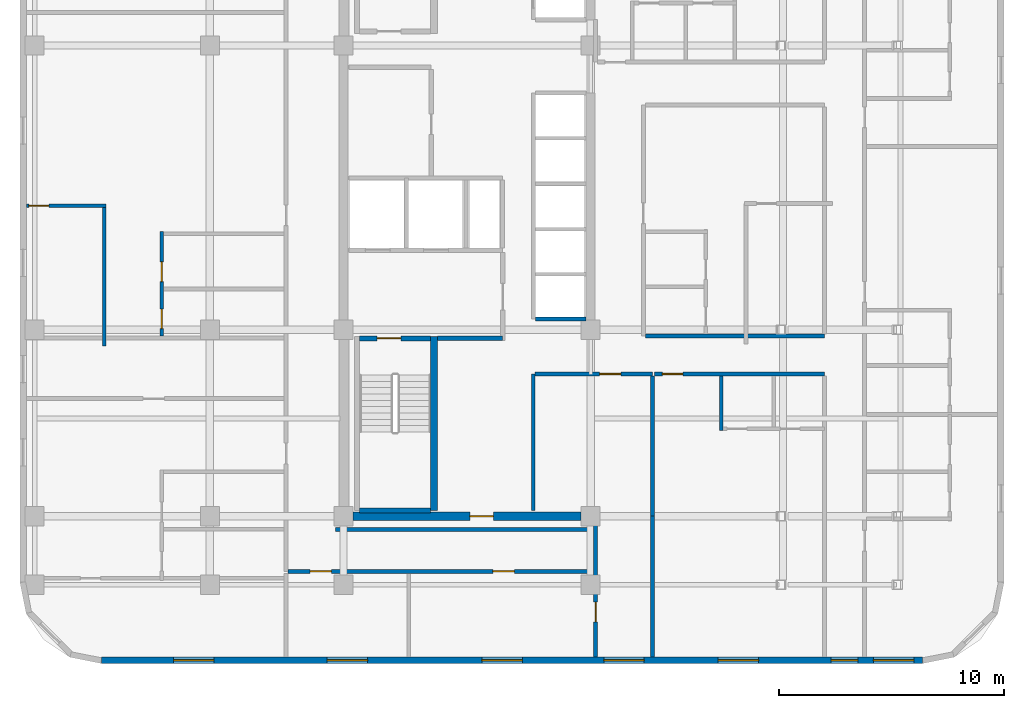
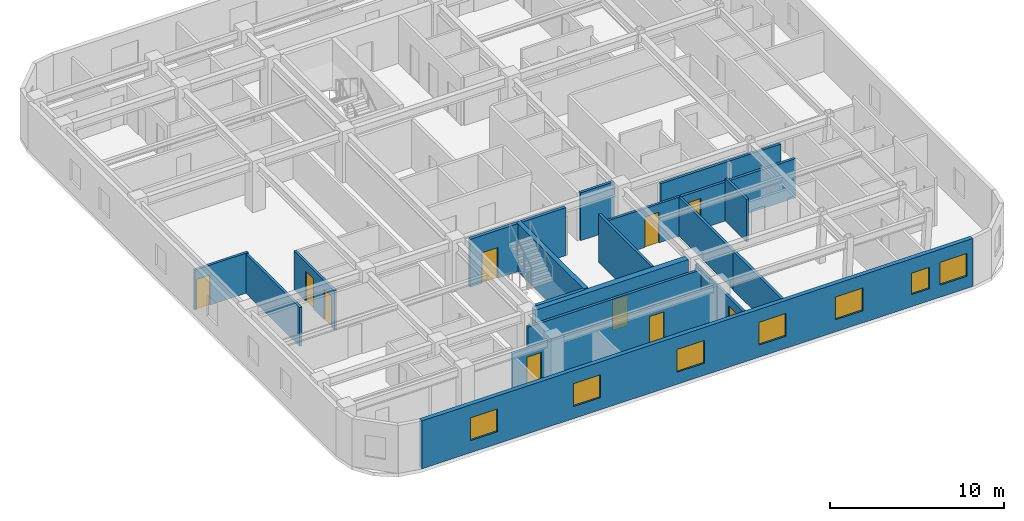
# One storey, part 3 of 9: 20 walls, 10 doors, 7 windows, 17 openings.
"""IFC4 building model written with IfcOpenShell, lengths in metres."""

from ifc_helpers import new_model, si_unit, direction, frame, frame_2d, origin, place, context, subcontext, project, spatial, rectangle, extrude, material, layer, layer_set, type_object, element, fill, save


model = new_model("IFC4")

# Units and contexts
model_context = context("Model", 3, precision=1e-05, world=origin(), true_north=direction((0.0, 1.0)))
body_context = subcontext(model_context, "Body", "Model", "MODEL_VIEW")
ifc_project = project(units=[si_unit("LENGTHUNIT", "METRE"), si_unit("AREAUNIT", "SQUARE_METRE"), si_unit("VOLUMEUNIT", "CUBIC_METRE"), si_unit("PLANEANGLEUNIT", "RADIAN"), si_unit("MASSUNIT", "GRAM", prefix="KILO")], contexts=[model_context])

# Site, building, storey
site_placement = place(None, origin())
site = spatial("IfcSite", under=ifc_project, at=site_placement, CompositionType="ELEMENT")
building_placement = place(site_placement, origin())
building = spatial("IfcBuilding", under=site, at=building_placement, Name="Ochreholt Gables", CompositionType="ELEMENT")
storey_placement = place(building_placement, frame((0.0, 0.0, 106.199951171875)))
storey = spatial("IfcBuildingStorey", under=building, at=storey_placement, Name="L27", CompositionType="ELEMENT", Elevation=106.199951171875)

# Wall, opening, door
ifc_material_1 = material(Name="Concrete 60 MPa", Category="concrete")
ifc_layer_1 = layer(ifc_material_1, 0.39990234375, Name="Concrete 60 MPa")
ifc_layer_set_1 = layer_set([ifc_layer_1], Name="Concrete 60 MPa")
wall_type_1 = type_object("IfcWallType", Name="WALL-CSW-400", PredefinedType="SHEAR", material=ifc_layer_set_1)
wall_1_placement = place(storey_placement, frame((24.625, 9.25, 0.0), z_axis=(0.0, 0.0, 1.0), x_axis=(1.0, 0.0, 0.0)))
wall_1 = element("IfcWall", 1, at=wall_1_placement, inside=storey, type_object=wall_type_1, Name="L27 Core South Shear Wall", PredefinedType="SHEAR", context=body_context, shape_type="SweptSolid", body=[
    extrude(rectangle(XDim=10.14990234375, YDim=0.39990234375, at=frame_2d((5.074951171875, 0.0))), origin(), (0.0, 0.0, 1.0), 3.360107421875),
])
opening_1_placement = place(wall_1_placement, frame((5.199951171875, 0.0, 0.0)))
opening_1 = element("IfcOpeningElement", 2, at=opening_1_placement, cuts=wall_1, Name="Opening D-FLB", PredefinedType="OPENING", context=body_context, shape_type="SweptSolid", body=[
    extrude(rectangle(XDim=1.050048828125, YDim=2.14990234375, at=frame_2d((0.52490234375, 1.074951171875))), frame((0.0, 0.2099609375, 0.0), z_axis=(0.0, -1.0, 0.0), x_axis=(1.0, 0.0, 0.0)), (0.0, 0.0, 1.0), 0.419921875),
])
ifc_material_2 = material(Name="Hollow Metal Steel", Category="steel")
door_type_1 = type_object("IfcDoorType", Name="DR-INT-FLB1050", OperationType="NOTDEFINED", PredefinedType="DOOR", material=ifc_material_2)
door_1_placement = place(opening_1_placement, origin())
door_1 = element("IfcDoor", 3, at=door_1_placement, inside=storey, type_object=door_type_1, Name="L27 Door D-C2CRS-L27", OperationType="SINGLE_SWING_LEFT", OverallHeight=2.14990234375, OverallWidth=1.050048828125, PredefinedType="DOOR", context=body_context, shape_type="SweptSolid", body=[
    extrude(rectangle(XDim=1.050048828125, YDim=2.14990234375, at=frame_2d((0.52490234375, 1.074951171875))), frame((0.0, 0.02490234375, 0.0), z_axis=(0.0, -1.0, 0.0), x_axis=(1.0, 0.0, 0.0)), (0.0, 0.0, 1.0), 0.050048828125),
])
fill(opening_1, door_1)

# Wall, openings, windows
ifc_material_3 = material(Name="Precast concrete 40 MPa", Category="concrete")
ifc_layer_2 = layer(ifc_material_3, 0.280029296875, Name="Precast concrete 40 MPa")
ifc_layer_set_2 = layer_set([ifc_layer_2], Name="Precast concrete 40 MPa")
wall_type_2 = type_object("IfcWallType", Name="WALL-EXT-280", PredefinedType="SOLIDWALL", material=ifc_layer_set_2)
wall_2_placement = place(storey_placement, frame((13.419921875, 2.840087890625, 0.0), z_axis=(0.0, 0.0, 1.0), x_axis=(1.0, 0.0, 0.0)))
wall_2 = element("IfcWall", 4, at=wall_2_placement, inside=storey, type_object=wall_type_2, Name="L27 South Exterior Wall", PredefinedType="SOLIDWALL", context=body_context, shape_type="SweptSolid", body=[
    extrude(rectangle(XDim=36.56005859375, YDim=0.280029296875, at=frame_2d((18.280029296875, 0.0))), origin(), (0.0, 0.0, 1.0), 3.360107421875),
])
opening_2_placement = place(wall_2_placement, frame((3.215087890625, 0.0, 0.85009765625)))
opening_2 = element("IfcOpeningElement", 5, at=opening_2_placement, cuts=wall_2, Name="Opening WN-1", PredefinedType="OPENING", context=body_context, shape_type="SweptSolid", body=[
    extrude(rectangle(XDim=1.800048828125, YDim=1.60009765625, at=frame_2d((0.89990234375, 0.800048828125))), frame((0.0, 0.14990234375, 0.0), z_axis=(0.0, -1.0, 0.0), x_axis=(1.0, 0.0, 0.0)), (0.0, 0.0, 1.0), 0.300048828125),
])
opening_3_placement = place(wall_2_placement, frame((10.054931640625, 0.0, 0.85009765625)))
opening_3 = element("IfcOpeningElement", 6, at=opening_3_placement, cuts=wall_2, Name="Opening WN-1", PredefinedType="OPENING", context=body_context, shape_type="SweptSolid", body=[
    extrude(rectangle(XDim=1.800048828125, YDim=1.60009765625, at=frame_2d((0.89990234375, 0.800048828125))), frame((0.0, 0.14990234375, 0.0), z_axis=(0.0, -1.0, 0.0), x_axis=(1.0, 0.0, 0.0)), (0.0, 0.0, 1.0), 0.300048828125),
])
opening_4_placement = place(wall_2_placement, frame((16.93994140625, 0.0, 0.85009765625)))
opening_4 = element("IfcOpeningElement", 7, at=opening_4_placement, cuts=wall_2, Name="Opening WN-1", PredefinedType="OPENING", context=body_context, shape_type="SweptSolid", body=[
    extrude(rectangle(XDim=1.800048828125, YDim=1.60009765625, at=frame_2d((0.89990234375, 0.800048828125))), frame((0.0, 0.14990234375, 0.0), z_axis=(0.0, -1.0, 0.0), x_axis=(1.0, 0.0, 0.0)), (0.0, 0.0, 1.0), 0.300048828125),
])
opening_5_placement = place(wall_2_placement, frame((22.364990234375, 0.0, 0.85009765625)))
opening_5 = element("IfcOpeningElement", 8, at=opening_5_placement, cuts=wall_2, Name="Opening WN-1", PredefinedType="OPENING", context=body_context, shape_type="SweptSolid", body=[
    extrude(rectangle(XDim=1.800048828125, YDim=1.60009765625, at=frame_2d((0.89990234375, 0.800048828125))), frame((0.0, 0.14990234375, 0.0), z_axis=(0.0, -1.0, 0.0), x_axis=(1.0, 0.0, 0.0)), (0.0, 0.0, 1.0), 0.300048828125),
])
opening_6_placement = place(wall_2_placement, frame((27.455078125, 0.0, 0.85009765625)))
opening_6 = element("IfcOpeningElement", 9, at=opening_6_placement, cuts=wall_2, Name="Opening WN-1", PredefinedType="OPENING", context=body_context, shape_type="SweptSolid", body=[
    extrude(rectangle(XDim=1.800048828125, YDim=1.60009765625, at=frame_2d((0.89990234375, 0.800048828125))), frame((0.0, 0.14990234375, 0.0), z_axis=(0.0, -1.0, 0.0), x_axis=(1.0, 0.0, 0.0)), (0.0, 0.0, 1.0), 0.300048828125),
])
opening_7_placement = place(wall_2_placement, frame((32.47998046875, 0.0, 0.85009765625)))
opening_7 = element("IfcOpeningElement", 10, at=opening_7_placement, cuts=wall_2, Name="Opening WN-3", PredefinedType="OPENING", context=body_context, shape_type="SweptSolid", body=[
    extrude(rectangle(XDim=1.199951171875, YDim=1.5, at=frame_2d((0.60009765625, 0.75))), frame((0.0, 0.14990234375, 0.0), z_axis=(0.0, -1.0, 0.0), x_axis=(1.0, 0.0, 0.0)), (0.0, 0.0, 1.0), 0.300048828125),
])
opening_8_placement = place(wall_2_placement, frame((34.3701171875, 0.0, 0.85009765625)))
opening_8 = element("IfcOpeningElement", 11, at=opening_8_placement, cuts=wall_2, Name="Opening WN-1", PredefinedType="OPENING", context=body_context, shape_type="SweptSolid", body=[
    extrude(rectangle(XDim=1.800048828125, YDim=1.60009765625, at=frame_2d((0.89990234375, 0.800048828125))), frame((0.0, 0.14990234375, 0.0), z_axis=(0.0, -1.0, 0.0), x_axis=(1.0, 0.0, 0.0)), (0.0, 0.0, 1.0), 0.300048828125),
])
ifc_material_4 = material(Name="Triple-Glazed Thermally Broken Aluminium Window", Category="aluminium")
window_type_1 = type_object("IfcWindowType", Name="WIN-RES-1200", PartitioningType="SINGLE_PANEL", PredefinedType="WINDOW", material=ifc_material_4)
window_1_placement = place(opening_7_placement, origin())
window_1 = element("IfcWindow", 12, at=window_1_placement, inside=storey, type_object=window_type_1, Name="L27 Window W-EXT-S-L27-6", OverallHeight=1.5, OverallWidth=1.199951171875, PartitioningType="SINGLE_PANEL", PredefinedType="WINDOW", context=body_context, shape_type="SweptSolid", body=[
    extrude(rectangle(XDim=1.199951171875, YDim=1.5, at=frame_2d((0.60009765625, 0.75))), frame((0.0, 0.030029296875, 0.0), z_axis=(0.0, -1.0, 0.0), x_axis=(1.0, 0.0, 0.0)), (0.0, 0.0, 1.0), 0.06005859375),
])
fill(opening_7, window_1)
window_type_2 = type_object("IfcWindowType", Name="WIN-RES-1800", PartitioningType="SINGLE_PANEL", PredefinedType="WINDOW", material=ifc_material_4)
window_2_placement = place(opening_2_placement, origin())
window_2 = element("IfcWindow", 13, at=window_2_placement, inside=storey, type_object=window_type_2, Name="L27 Window W-EXT-S-L27-1", OverallHeight=1.60009765625, OverallWidth=1.800048828125, PartitioningType="SINGLE_PANEL", PredefinedType="WINDOW", context=body_context, shape_type="SweptSolid", body=[
    extrude(rectangle(XDim=1.800048828125, YDim=1.60009765625, at=frame_2d((0.89990234375, 0.800048828125))), frame((0.0, 0.030029296875, 0.0), z_axis=(0.0, -1.0, 0.0), x_axis=(1.0, 0.0, 0.0)), (0.0, 0.0, 1.0), 0.06005859375),
])
fill(opening_2, window_2)
window_3_placement = place(opening_3_placement, origin())
window_3 = element("IfcWindow", 14, at=window_3_placement, inside=storey, type_object=window_type_2, Name="L27 Window W-EXT-S-L27-2", OverallHeight=1.60009765625, OverallWidth=1.800048828125, PartitioningType="SINGLE_PANEL", PredefinedType="WINDOW", context=body_context, shape_type="SweptSolid", body=[
    extrude(rectangle(XDim=1.800048828125, YDim=1.60009765625, at=frame_2d((0.89990234375, 0.800048828125))), frame((0.0, 0.030029296875, 0.0), z_axis=(0.0, -1.0, 0.0), x_axis=(1.0, 0.0, 0.0)), (0.0, 0.0, 1.0), 0.06005859375),
])
fill(opening_3, window_3)
window_4_placement = place(opening_4_placement, origin())
window_4 = element("IfcWindow", 15, at=window_4_placement, inside=storey, type_object=window_type_2, Name="L27 Window W-EXT-S-L27-3", OverallHeight=1.60009765625, OverallWidth=1.800048828125, PartitioningType="SINGLE_PANEL", PredefinedType="WINDOW", context=body_context, shape_type="SweptSolid", body=[
    extrude(rectangle(XDim=1.800048828125, YDim=1.60009765625, at=frame_2d((0.89990234375, 0.800048828125))), frame((0.0, 0.030029296875, 0.0), z_axis=(0.0, -1.0, 0.0), x_axis=(1.0, 0.0, 0.0)), (0.0, 0.0, 1.0), 0.06005859375),
])
fill(opening_4, window_4)
window_5_placement = place(opening_5_placement, origin())
window_5 = element("IfcWindow", 16, at=window_5_placement, inside=storey, type_object=window_type_2, Name="L27 Window W-EXT-S-L27-4", OverallHeight=1.60009765625, OverallWidth=1.800048828125, PartitioningType="SINGLE_PANEL", PredefinedType="WINDOW", context=body_context, shape_type="SweptSolid", body=[
    extrude(rectangle(XDim=1.800048828125, YDim=1.60009765625, at=frame_2d((0.89990234375, 0.800048828125))), frame((0.0, 0.030029296875, 0.0), z_axis=(0.0, -1.0, 0.0), x_axis=(1.0, 0.0, 0.0)), (0.0, 0.0, 1.0), 0.06005859375),
])
fill(opening_5, window_5)
window_6_placement = place(opening_6_placement, origin())
window_6 = element("IfcWindow", 17, at=window_6_placement, inside=storey, type_object=window_type_2, Name="L27 Window W-EXT-S-L27-5", OverallHeight=1.60009765625, OverallWidth=1.800048828125, PartitioningType="SINGLE_PANEL", PredefinedType="WINDOW", context=body_context, shape_type="SweptSolid", body=[
    extrude(rectangle(XDim=1.800048828125, YDim=1.60009765625, at=frame_2d((0.89990234375, 0.800048828125))), frame((0.0, 0.030029296875, 0.0), z_axis=(0.0, -1.0, 0.0), x_axis=(1.0, 0.0, 0.0)), (0.0, 0.0, 1.0), 0.06005859375),
])
fill(opening_6, window_6)
window_7_placement = place(opening_8_placement, origin())
window_7 = element("IfcWindow", 18, at=window_7_placement, inside=storey, type_object=window_type_2, Name="L27 Window W-EXT-S-L27-7", OverallHeight=1.60009765625, OverallWidth=1.800048828125, PartitioningType="SINGLE_PANEL", PredefinedType="WINDOW", context=body_context, shape_type="SweptSolid", body=[
    extrude(rectangle(XDim=1.800048828125, YDim=1.60009765625, at=frame_2d((0.89990234375, 0.800048828125))), frame((0.0, 0.030029296875, 0.0), z_axis=(0.0, -1.0, 0.0), x_axis=(1.0, 0.0, 0.0)), (0.0, 0.0, 1.0), 0.06005859375),
])
fill(opening_8, window_7)

# Wall
ifc_material_5 = material(Name="Concrete 40 MPa", Category="concrete")
ifc_layer_3 = layer(ifc_material_5, 0.199951171875, Name="Concrete 40 MPa")
ifc_layer_set_3 = layer_set([ifc_layer_3], Name="Concrete 40 MPa")
wall_type_3 = type_object("IfcWallType", Name="WALL-INT-CF200", PredefinedType="STANDARD", material=ifc_layer_set_3)
wall_3_placement = place(storey_placement, frame((28.3798828125, 17.169921875, 0.0), z_axis=(0.0, 0.0, 1.0), x_axis=(1.0, 0.0, 0.0)))
element("IfcWall", 19, at=wall_3_placement, inside=storey, type_object=wall_type_3, Name="L27 Interior Wall WI-FFS-L27", PredefinedType="STANDARD", context=body_context, shape_type="SweptSolid", body=[
    extrude(rectangle(XDim=2.900146484375, YDim=0.199951171875, at=frame_2d((1.4501953125, 0.0))), origin(), (0.0, 0.0, 1.0), 3.360107421875),
])

# Wall, opening, door
ifc_material_6 = material(Name="Fire-Rated Gypsum Acoustic Partition", Category="gypsum")
ifc_layer_4 = layer(ifc_material_6, 0.179931640625, Name="Fire-Rated Gypsum Acoustic Partition")
ifc_layer_set_4 = layer_set([ifc_layer_4], Name="Fire-Rated Gypsum Acoustic Partition")
wall_type_4 = type_object("IfcWallType", Name="WALL-INT-CR180", PredefinedType="STANDARD", material=ifc_layer_set_4)
wall_4_placement = place(storey_placement, frame((38.032470703125, 15.580078125, 0.0), z_axis=(0.0, 0.0, 1.0), x_axis=(1.0, 0.0, 0.0)))
wall_4 = element("IfcWall", 20, at=wall_4_placement, inside=storey, type_object=wall_type_4, Name="L27 Interior Wall WI-C2SS1-L27", PredefinedType="STANDARD", context=body_context, shape_type="SweptSolid", body=[
    extrude(rectangle(XDim=7.567626953125, YDim=0.179931640625, at=frame_2d((3.78369140625, 0.0))), origin(), (0.0, 0.0, 1.0), 2.73095703125),
])
opening_9_placement = place(wall_4_placement, frame((0.357421875, 0.0, 0.0)))
opening_9 = element("IfcOpeningElement", 21, at=opening_9_placement, cuts=wall_4, Name="Opening D-UN1", PredefinedType="OPENING", context=body_context, shape_type="SweptSolid", body=[
    extrude(rectangle(XDim=0.919921875, YDim=2.14990234375, at=frame_2d((0.4599609375, 1.074951171875))), frame((0.0, 0.099853515625, 0.0), z_axis=(0.0, -1.0, 0.0), x_axis=(1.0, 0.0, 0.0)), (0.0, 0.0, 1.0), 0.199951171875),
])
ifc_material_7 = material(Name="Engineered Oak Timber", Category="wood")
door_type_2 = type_object("IfcDoorType", Name="DR-INT-UNT920", OperationType="NOTDEFINED", PredefinedType="DOOR", material=ifc_material_7)
door_2_placement = place(opening_9_placement, origin())
door_2 = element("IfcDoor", 22, at=door_2_placement, inside=storey, type_object=door_type_2, Name="L27 Door D-U-L27S1-ENT", OperationType="SINGLE_SWING_RIGHT", OverallHeight=2.14990234375, OverallWidth=0.919921875, PredefinedType="DOOR", context=body_context, shape_type="SweptSolid", body=[
    extrude(rectangle(XDim=0.919921875, YDim=2.14990234375, at=frame_2d((0.4599609375, 1.074951171875))), frame((0.0, 0.02490234375, 0.0), z_axis=(0.0, -1.0, 0.0), x_axis=(1.0, 0.0, 0.0)), (0.0, 0.0, 1.0), 0.050048828125),
])
fill(opening_9, door_2)

# Wall
wall_5_placement = place(storey_placement, frame((37.639892578125, 17.280029296875, 0.0), z_axis=(0.0, 0.0, 1.0), x_axis=(1.0, 0.0, 0.0)))
element("IfcWall", 23, at=wall_5_placement, inside=storey, type_object=wall_type_4, Name="L27 Interior Wall WI-C2SS2-L27", PredefinedType="STANDARD", context=body_context, shape_type="SweptSolid", body=[
    extrude(rectangle(XDim=7.960205078125, YDim=0.179931640625, at=frame_2d((3.97998046875, 0.0))), origin(), (0.0, 0.0, 1.0), 2.73095703125),
])

# Wall, openings, doors
wall_6_placement = place(storey_placement, frame((21.739990234375, 6.800048828125, 0.0), z_axis=(0.0, 0.0, 1.0), x_axis=(1.0, 0.0, 0.0)))
wall_6 = element("IfcWall", 24, at=wall_6_placement, inside=storey, type_object=wall_type_4, Name="L27 Interior Wall WI-C2WCS-L27", PredefinedType="STANDARD", context=body_context, shape_type="SweptSolid", body=[
    extrude(rectangle(XDim=13.679931640625, YDim=0.179931640625, at=frame_2d((6.83984375, 0.0))), origin(), (0.0, 0.0, 1.0), 2.73095703125),
])
opening_10_placement = place(wall_6_placement, frame((0.969970703125, 0.0, 0.0)))
opening_10 = element("IfcOpeningElement", 25, at=opening_10_placement, cuts=wall_6, Name="Opening D-GN1", PredefinedType="OPENING", context=body_context, shape_type="SweptSolid", body=[
    extrude(rectangle(XDim=0.949951171875, YDim=2.14990234375, at=frame_2d((0.47509765625, 1.074951171875))), frame((0.0, 0.099853515625, 0.0), z_axis=(0.0, -1.0, 0.0), x_axis=(1.0, 0.0, 0.0)), (0.0, 0.0, 1.0), 0.199951171875),
])
opening_11_placement = place(wall_6_placement, frame((9.110107421875, 0.0, 0.0)))
opening_11 = element("IfcOpeningElement", 26, at=opening_11_placement, cuts=wall_6, Name="Opening D-GN1", PredefinedType="OPENING", context=body_context, shape_type="SweptSolid", body=[
    extrude(rectangle(XDim=0.949951171875, YDim=2.14990234375, at=frame_2d((0.47509765625, 1.074951171875))), frame((0.0, 0.099853515625, 0.0), z_axis=(0.0, -1.0, 0.0), x_axis=(1.0, 0.0, 0.0)), (0.0, 0.0, 1.0), 0.199951171875),
])
door_type_3 = type_object("IfcDoorType", Name="DR-INT-GEN950", OperationType="NOTDEFINED", PredefinedType="DOOR", material=ifc_material_7)
door_3_placement = place(opening_10_placement, origin())
door_3 = element("IfcDoor", 27, at=door_3_placement, inside=storey, type_object=door_type_3, Name="L27 Door D-C2STL1-L27", OperationType="SINGLE_SWING_LEFT", OverallHeight=2.14990234375, OverallWidth=0.949951171875, PredefinedType="DOOR", context=body_context, shape_type="SweptSolid", body=[
    extrude(rectangle(XDim=0.949951171875, YDim=2.14990234375, at=frame_2d((0.47509765625, 1.074951171875))), frame((0.0, 0.02490234375, 0.0), z_axis=(0.0, -1.0, 0.0), x_axis=(1.0, 0.0, 0.0)), (0.0, 0.0, 1.0), 0.050048828125),
])
fill(opening_10, door_3)
door_4_placement = place(opening_11_placement, origin())
door_4 = element("IfcDoor", 28, at=door_4_placement, inside=storey, type_object=door_type_3, Name="L27 Door D-C2STL2-L27", OperationType="SINGLE_SWING_RIGHT", OverallHeight=2.14990234375, OverallWidth=0.949951171875, PredefinedType="DOOR", context=body_context, shape_type="SweptSolid", body=[
    extrude(rectangle(XDim=0.949951171875, YDim=2.14990234375, at=frame_2d((0.47509765625, 1.074951171875))), frame((0.0, 0.02490234375, 0.0), z_axis=(0.0, -1.0, 0.0), x_axis=(1.0, 0.0, 0.0)), (0.0, 0.0, 1.0), 0.050048828125),
])
fill(opening_11, door_4)

# Wall
wall_7_placement = place(storey_placement, frame((23.85009765625, 8.64990234375, 0.0), z_axis=(0.0, 0.0, 1.0), x_axis=(1.0, 0.0, 0.0)))
element("IfcWall", 29, at=wall_7_placement, inside=storey, type_object=wall_type_4, Name="L27 Interior Wall WI-C2WCS2-L27", PredefinedType="STANDARD", context=body_context, shape_type="SweptSolid", body=[
    extrude(rectangle(XDim=11.56982421875, YDim=0.179931640625, at=frame_2d((5.784912109375, 0.0))), origin(), (0.0, 0.0, 1.0), 2.73095703125),
])

# Wall, opening, door
ifc_material_8 = material(Name="Double-Stud Acoustic Demising Wall", Category="gypsum")
ifc_layer_5 = layer(ifc_material_8, 0.179931640625, Name="Double-Stud Acoustic Demising Wall")
ifc_layer_set_5 = layer_set([ifc_layer_5], Name="Double-Stud Acoustic Demising Wall")
wall_type_5 = type_object("IfcWallType", Name="WALL-INT-DM180", PredefinedType="PARTITIONING", material=ifc_layer_set_5)
wall_8_placement = place(storey_placement, frame((35.419921875, 2.97998046875, 0.0), z_axis=(0.0, 0.0, 1.0), x_axis=(0.0, 1.0, 0.0)))
wall_8 = element("IfcWall", 30, at=wall_8_placement, inside=storey, type_object=wall_type_5, Name="L27 Interior Wall WI-C2SES-L27", PredefinedType="PARTITIONING", context=body_context, shape_type="SweptSolid", body=[
    extrude(rectangle(XDim=6.27001953125, YDim=0.179931640625, at=frame_2d((3.135009765625, 0.0))), origin(), (0.0, 0.0, 1.0), 2.73095703125),
])
opening_12_placement = place(wall_8_placement, frame((1.570068359375, 0.0, 0.0)))
opening_12 = element("IfcOpeningElement", 31, at=opening_12_placement, cuts=wall_8, Name="Opening D-GN2", PredefinedType="OPENING", context=body_context, shape_type="SweptSolid", body=[
    extrude(rectangle(XDim=0.8798828125, YDim=2.1201171875, at=frame_2d((0.43994140625, 1.06005859375))), frame((0.0, 0.099853515625, 0.0), z_axis=(0.0, -1.0, 0.0), x_axis=(1.0, 0.0, 0.0)), (0.0, 0.0, 1.0), 0.199951171875),
])
door_type_4 = type_object("IfcDoorType", Name="DR-INT-GEN880", OperationType="NOTDEFINED", PredefinedType="DOOR", material=ifc_material_7)
door_5_placement = place(opening_12_placement, origin())
door_5 = element("IfcDoor", 32, at=door_5_placement, inside=storey, type_object=door_type_4, Name="L27 Door D-C2SPS-L27", OperationType="SINGLE_SWING_LEFT", OverallHeight=2.1201171875, OverallWidth=0.8798828125, PredefinedType="DOOR", context=body_context, shape_type="SweptSolid", body=[
    extrude(rectangle(XDim=0.8798828125, YDim=2.1201171875, at=frame_2d((0.43994140625, 1.06005859375))), frame((0.0, 0.02490234375, 0.0), z_axis=(0.0, -1.0, 0.0), x_axis=(1.0, 0.0, 0.0)), (0.0, 0.0, 1.0), 0.050048828125),
])
fill(opening_12, door_5)

# Walls
wall_9_placement = place(storey_placement, frame((37.949951171875, 2.97998046875, 0.0), z_axis=(0.0, 0.0, 1.0), x_axis=(0.0, 1.0, 0.0)))
element("IfcWall", 33, at=wall_9_placement, inside=storey, type_object=wall_type_5, Name="L27 Interior Wall WI-C2SEW2-L27", PredefinedType="PARTITIONING", context=body_context, shape_type="SweptSolid", body=[
    extrude(rectangle(XDim=6.27001953125, YDim=0.179931640625, at=frame_2d((3.135009765625, 0.0))), origin(), (0.0, 0.0, 1.0), 2.73095703125),
])
ifc_material_9 = material(Name="Moisture-Resistant Plumbing Chase Wall", Category="gypsum")
ifc_layer_6 = layer(ifc_material_9, 0.159912109375, Name="Moisture-Resistant Plumbing Chase Wall")
ifc_layer_set_6 = layer_set([ifc_layer_6], Name="Moisture-Resistant Plumbing Chase Wall")
wall_type_6 = type_object("IfcWallType", Name="WALL-INT-PL160", PredefinedType="PLUMBINGWALL", material=ifc_layer_set_6)
wall_10_placement = place(storey_placement, frame((41.010009765625, 13.06005859375, 0.0), z_axis=(0.0, 0.0, 1.0), x_axis=(0.0, 1.0, 0.0)))
element("IfcWall", 34, at=wall_10_placement, inside=storey, type_object=wall_type_6, Name="L27 Interior Wall WU-L27S1-FY", PredefinedType="PLUMBINGWALL", context=body_context, shape_type="SweptSolid", body=[
    extrude(rectangle(XDim=2.429931640625, YDim=0.159912109375, at=frame_2d((1.21484375, 0.0))), origin(), (0.0, 0.0, 1.0), 2.988037109375),
])

# Wall, openings, doors
wall_11_placement = place(storey_placement, frame((16.110107421875, 17.27392578125, 0.0), z_axis=(0.0, 0.0, 1.0), x_axis=(0.0, 1.0, 0.0)))
wall_11 = element("IfcWall", 35, at=wall_11_placement, inside=storey, type_object=wall_type_6, Name="L27 Interior Wall WU-L27W2-WX", PredefinedType="PLUMBINGWALL", context=body_context, shape_type="SweptSolid", body=[
    extrude(rectangle(XDim=4.64013671875, YDim=0.159912109375, at=frame_2d((2.320068359375, 0.0))), origin(), (0.0, 0.0, 1.0), 2.73095703125),
])
opening_13_placement = place(wall_11_placement, frame((0.330078125, 0.0, 0.0)))
opening_13 = element("IfcOpeningElement", 36, at=opening_13_placement, cuts=wall_11, Name="Opening D-BT1", PredefinedType="OPENING", context=body_context, shape_type="SweptSolid", body=[
    extrude(rectangle(XDim=0.860107421875, YDim=2.1201171875, at=frame_2d((0.43017578125, 1.06005859375))), frame((0.0, 0.08984375, 0.0), z_axis=(0.0, -1.0, 0.0), x_axis=(1.0, 0.0, 0.0)), (0.0, 0.0, 1.0), 0.179931640625),
])
opening_14_placement = place(wall_11_placement, frame((2.423095703125, 0.0, 0.0)))
opening_14 = element("IfcOpeningElement", 37, at=opening_14_placement, cuts=wall_11, Name="Opening D-GN2", PredefinedType="OPENING", context=body_context, shape_type="SweptSolid", body=[
    extrude(rectangle(XDim=0.8798828125, YDim=2.1201171875, at=frame_2d((0.43994140625, 1.06005859375))), frame((0.0, 0.08984375, 0.0), z_axis=(0.0, -1.0, 0.0), x_axis=(1.0, 0.0, 0.0)), (0.0, 0.0, 1.0), 0.179931640625),
])
door_type_5 = type_object("IfcDoorType", Name="DR-INT-BTH860", OperationType="NOTDEFINED", PredefinedType="DOOR", material=ifc_material_7)
door_6_placement = place(opening_13_placement, origin())
door_6 = element("IfcDoor", 38, at=door_6_placement, inside=storey, type_object=door_type_5, Name="L27 Door D-U-L27W2-BTH", OperationType="SINGLE_SWING_LEFT", OverallHeight=2.1201171875, OverallWidth=0.860107421875, PredefinedType="DOOR", context=body_context, shape_type="SweptSolid", body=[
    extrude(rectangle(XDim=0.860107421875, YDim=2.1201171875, at=frame_2d((0.43017578125, 1.06005859375))), frame((0.0, 0.02490234375, 0.0), z_axis=(0.0, -1.0, 0.0), x_axis=(1.0, 0.0, 0.0)), (0.0, 0.0, 1.0), 0.050048828125),
])
fill(opening_13, door_6)
door_7_placement = place(opening_14_placement, origin())
door_7 = element("IfcDoor", 39, at=door_7_placement, inside=storey, type_object=door_type_4, Name="L27 Door D-U-L27W2-KIT", OperationType="SINGLE_SWING_RIGHT", OverallHeight=2.1201171875, OverallWidth=0.8798828125, PredefinedType="DOOR", context=body_context, shape_type="SweptSolid", body=[
    extrude(rectangle(XDim=0.8798828125, YDim=2.1201171875, at=frame_2d((0.43994140625, 1.06005859375))), frame((0.0, 0.02490234375, 0.0), z_axis=(0.0, -1.0, 0.0), x_axis=(1.0, 0.0, 0.0)), (0.0, 0.0, 1.0), 0.050048828125),
])
fill(opening_14, door_7)

# Wall
ifc_material_10 = material(Name="Gypsum Acoustic Stud Partition", Category="gypsum")
ifc_layer_7 = layer(ifc_material_10, 0.1650390625, Name="Gypsum Acoustic Stud Partition")
ifc_layer_set_7 = layer_set([ifc_layer_7], Name="Gypsum Acoustic Stud Partition")
wall_type_7 = type_object("IfcWallType", Name="WALL-INT-PT165", PredefinedType="PARTITIONING", material=ifc_layer_set_7)
wall_12_placement = place(storey_placement, frame((32.64990234375, 9.5, 0.0), z_axis=(0.0, 0.0, 1.0), x_axis=(0.0, 1.0, 0.0)))
element("IfcWall", 40, at=wall_12_placement, inside=storey, type_object=wall_type_7, Name="L27 Interior Wall WI-RCL-W-L27", PredefinedType="PARTITIONING", context=body_context, shape_type="SweptSolid", body=[
    extrude(rectangle(XDim=6.080078125, YDim=0.1650390625, at=frame_2d((3.0400390625, 0.0))), origin(), (0.0, 0.0, 1.0), 3.360107421875),
])

# Wall, opening, door
wall_13_placement = place(storey_placement, frame((32.732421875, 15.580078125, 0.0), z_axis=(0.0, 0.0, 1.0), x_axis=(1.0, 0.0, 0.0)))
wall_13 = element("IfcWall", 41, at=wall_13_placement, inside=storey, type_object=wall_type_7, Name="L27 Interior Wall WI-RCL-N-L27", PredefinedType="PARTITIONING", context=body_context, shape_type="SweptSolid", body=[
    extrude(rectangle(XDim=5.217529296875, YDim=0.1650390625, at=frame_2d((2.60888671875, 0.0))), origin(), (0.0, 0.0, 1.0), 2.73095703125),
])
opening_15_placement = place(wall_13_placement, frame((2.867431640625, 0.0, 0.0)))
opening_15 = element("IfcOpeningElement", 42, at=opening_15_placement, cuts=wall_13, Name="Opening D-GN1", PredefinedType="OPENING", context=body_context, shape_type="SweptSolid", body=[
    extrude(rectangle(XDim=0.949951171875, YDim=2.14990234375, at=frame_2d((0.47509765625, 1.074951171875))), frame((0.0, 0.092529296875, 0.0), z_axis=(0.0, -1.0, 0.0), x_axis=(1.0, 0.0, 0.0)), (0.0, 0.0, 1.0), 0.18505859375),
])
door_8_placement = place(opening_15_placement, origin())
door_8 = element("IfcDoor", 43, at=door_8_placement, inside=storey, type_object=door_type_3, Name="L27 Door D-RCL-L27", OperationType="SINGLE_SWING_LEFT", OverallHeight=2.14990234375, OverallWidth=0.949951171875, PredefinedType="DOOR", context=body_context, shape_type="SweptSolid", body=[
    extrude(rectangle(XDim=0.949951171875, YDim=2.14990234375, at=frame_2d((0.47509765625, 1.074951171875))), frame((0.0, 0.02490234375, 0.0), z_axis=(0.0, -1.0, 0.0), x_axis=(1.0, 0.0, 0.0)), (0.0, 0.0, 1.0), 0.050048828125),
])
fill(opening_15, door_8)

# Walls
wall_14_placement = place(storey_placement, frame((37.949951171875, 9.25, 0.0), z_axis=(0.0, 0.0, 1.0), x_axis=(0.0, 1.0, 0.0)))
element("IfcWall", 44, at=wall_14_placement, inside=storey, type_object=wall_type_7, Name="L27 Interior Wall WI-RCL-E-L27", PredefinedType="PARTITIONING", context=body_context, shape_type="SweptSolid", body=[
    extrude(rectangle(XDim=6.24755859375, YDim=0.1650390625, at=frame_2d((3.123779296875, 0.0))), origin(), (0.0, 0.0, 1.0), 2.73095703125),
])
wall_15_placement = place(storey_placement, frame((13.550048828125, 16.823974609375, 0.0), z_axis=(0.0, 0.0, 1.0), x_axis=(0.0, 1.0, 0.0)))
element("IfcWall", 45, at=wall_15_placement, inside=storey, type_object=wall_type_7, Name="L27 Interior Wall WU-L27W2-STW", PredefinedType="PARTITIONING", context=body_context, shape_type="SweptSolid", body=[
    extrude(rectangle(XDim=6.25, YDim=0.1650390625, at=frame_2d((3.125, 0.0))), origin(), (0.0, 0.0, 1.0), 2.73095703125),
])

# Wall, opening, door
wall_16_placement = place(storey_placement, frame((10.080078125, 23.073974609375, 0.0), z_axis=(0.0, 0.0, 1.0), x_axis=(1.0, 0.0, 0.0)))
wall_16 = element("IfcWall", 46, at=wall_16_placement, inside=storey, type_object=wall_type_7, Name="L27 Interior Wall WU-L27W2-STN", PredefinedType="PARTITIONING", context=body_context, shape_type="SweptSolid", body=[
    extrude(rectangle(XDim=3.5498046875, YDim=0.1650390625, at=frame_2d((1.77490234375, 0.0))), origin(), (0.0, 0.0, 1.0), 2.80908203125),
])
opening_16_placement = place(wall_16_placement, frame((0.1201171875, 0.0, 0.0)))
opening_16 = element("IfcOpeningElement", 47, at=opening_16_placement, cuts=wall_16, Name="Opening D-GN2", PredefinedType="OPENING", context=body_context, shape_type="SweptSolid", body=[
    extrude(rectangle(XDim=0.8798828125, YDim=2.1201171875, at=frame_2d((0.43994140625, 1.06005859375))), frame((0.0, 0.092529296875, 0.0), z_axis=(0.0, -1.0, 0.0), x_axis=(1.0, 0.0, 0.0)), (0.0, 0.0, 1.0), 0.18505859375),
])
door_9_placement = place(opening_16_placement, origin())
door_9 = element("IfcDoor", 48, at=door_9_placement, inside=storey, type_object=door_type_4, Name="L27 Door D-U-L27W2-STD", OperationType="SINGLE_SWING_LEFT", OverallHeight=2.1201171875, OverallWidth=0.8798828125, PredefinedType="DOOR", context=body_context, shape_type="SweptSolid", body=[
    extrude(rectangle(XDim=0.8798828125, YDim=2.1201171875, at=frame_2d((0.43994140625, 1.06005859375))), frame((0.0, 0.02490234375, 0.0), z_axis=(0.0, -1.0, 0.0), x_axis=(1.0, 0.0, 0.0)), (0.0, 0.0, 1.0), 0.050048828125),
])
fill(opening_16, door_9)

# Walls
ifc_material_11 = material(Name="Gypsum Shaftliner and Steel Stud", Category="steel")
ifc_layer_8 = layer(ifc_material_11, 0.179931640625, Name="Gypsum Shaftliner and Steel Stud")
ifc_layer_set_8 = layer_set([ifc_layer_8], Name="Gypsum Shaftliner and Steel Stud")
wall_type_8 = type_object("IfcWallType", Name="WALL-INT-SH180", PredefinedType="STANDARD", material=ifc_layer_set_8)
wall_17_placement = place(storey_placement, frame((32.739990234375, 18.02001953125, 0.0), z_axis=(0.0, 0.0, 1.0), x_axis=(1.0, 0.0, 0.0)))
element("IfcWall", 49, at=wall_17_placement, inside=storey, type_object=wall_type_8, Name="L27 Interior Wall WI-LFHE-S-L27", PredefinedType="STANDARD", context=body_context, shape_type="SweptSolid", body=[
    extrude(rectangle(XDim=2.260009765625, YDim=0.179931640625, at=frame_2d((1.1298828125, 0.0))), origin(), (0.0, 0.0, 1.0), 3.360107421875),
])
ifc_layer_9 = layer(ifc_material_1, 0.300048828125, Name="Concrete 60 MPa")
ifc_layer_set_9 = layer_set([ifc_layer_9], Name="Concrete 60 MPa")
wall_type_9 = type_object("IfcWallType", Name="WALL-SPN-300", PredefinedType="SHEAR", material=ifc_layer_set_9)
wall_18_placement = place(storey_placement, frame((28.22998046875, 9.5, 0.0), z_axis=(0.0, 0.0, 1.0), x_axis=(0.0, 1.0, 0.0)))
element("IfcWall", 50, at=wall_18_placement, inside=storey, type_object=wall_type_9, Name="L27 Core South Spine Shear Wall", PredefinedType="SHEAR", context=body_context, shape_type="SweptSolid", body=[
    extrude(rectangle(XDim=7.760009765625, YDim=0.300048828125, at=frame_2d((3.8798828125, 0.0))), origin(), (0.0, 0.0, 1.0), 3.360107421875),
])
ifc_material_12 = material(Name="Concrete 50 MPa", Category="concrete")
ifc_layer_10 = layer(ifc_material_12, 0.219970703125, Name="Concrete 50 MPa")
ifc_layer_set_10 = layer_set([ifc_layer_10], Name="Concrete 50 MPa")
wall_type_10 = type_object("IfcWallType", Name="WALL-STW-220", PredefinedType="SHEAR", material=ifc_layer_set_10)
wall_19_placement = place(storey_placement, frame((24.919921875, 9.510009765625, 0.0), z_axis=(0.0, 0.0, 1.0), x_axis=(1.0, 0.0, 0.0)))
element("IfcWall", 51, at=wall_19_placement, inside=storey, type_object=wall_type_10, Name="L27 Exit Stair 1 South Wall", PredefinedType="SHEAR", context=body_context, shape_type="SweptSolid", body=[
    extrude(rectangle(XDim=3.16015625, YDim=0.219970703125, at=frame_2d((1.580078125, 0.0))), origin(), (0.0, 0.0, 1.0), 3.360107421875),
])

# Wall, opening, door
wall_20_placement = place(storey_placement, frame((24.919921875, 17.169921875, 0.0), z_axis=(0.0, 0.0, 1.0), x_axis=(1.0, 0.0, 0.0)))
wall_20 = element("IfcWall", 52, at=wall_20_placement, inside=storey, type_object=wall_type_10, Name="L27 Exit Stair 1 North Wall", PredefinedType="SHEAR", context=body_context, shape_type="SweptSolid", body=[
    extrude(rectangle(XDim=3.16015625, YDim=0.219970703125, at=frame_2d((1.580078125, 0.0))), origin(), (0.0, 0.0, 1.0), 3.360107421875),
])
opening_17_placement = place(wall_20_placement, frame((0.780029296875, 0.0, 0.0)))
opening_17 = element("IfcOpeningElement", 53, at=opening_17_placement, cuts=wall_20, Name="Opening D-STC", PredefinedType="OPENING", context=body_context, shape_type="SweptSolid", body=[
    extrude(rectangle(XDim=1.050048828125, YDim=2.14990234375, at=frame_2d((0.52490234375, 1.074951171875))), frame((0.0, 0.119873046875, 0.0), z_axis=(0.0, -1.0, 0.0), x_axis=(1.0, 0.0, 0.0)), (0.0, 0.0, 1.0), 0.239990234375),
])
door_type_6 = type_object("IfcDoorType", Name="DR-INT-ST1050", OperationType="NOTDEFINED", PredefinedType="DOOR", material=ifc_material_2)
door_10_placement = place(opening_17_placement, frame((1.050048828125, 0.0, 0.0), z_axis=(0.0, 0.0, 1.0), x_axis=(-1.0, 0.0, 0.0)))
door_10 = element("IfcDoor", 54, at=door_10_placement, inside=storey, type_object=door_type_6, Name="L27 Door D-ST1-L27", OperationType="SINGLE_SWING_LEFT", OverallHeight=2.14990234375, OverallWidth=1.050048828125, PredefinedType="DOOR", context=body_context, shape_type="SweptSolid", body=[
    extrude(rectangle(XDim=1.050048828125, YDim=2.14990234375, at=frame_2d((0.52490234375, 1.074951171875))), frame((0.0, 0.02490234375, 0.0), z_axis=(0.0, -1.0, 0.0), x_axis=(1.0, 0.0, 0.0)), (0.0, 0.0, 1.0), 0.050048828125),
])
fill(opening_17, door_10)

save(model, "model.ifc")
